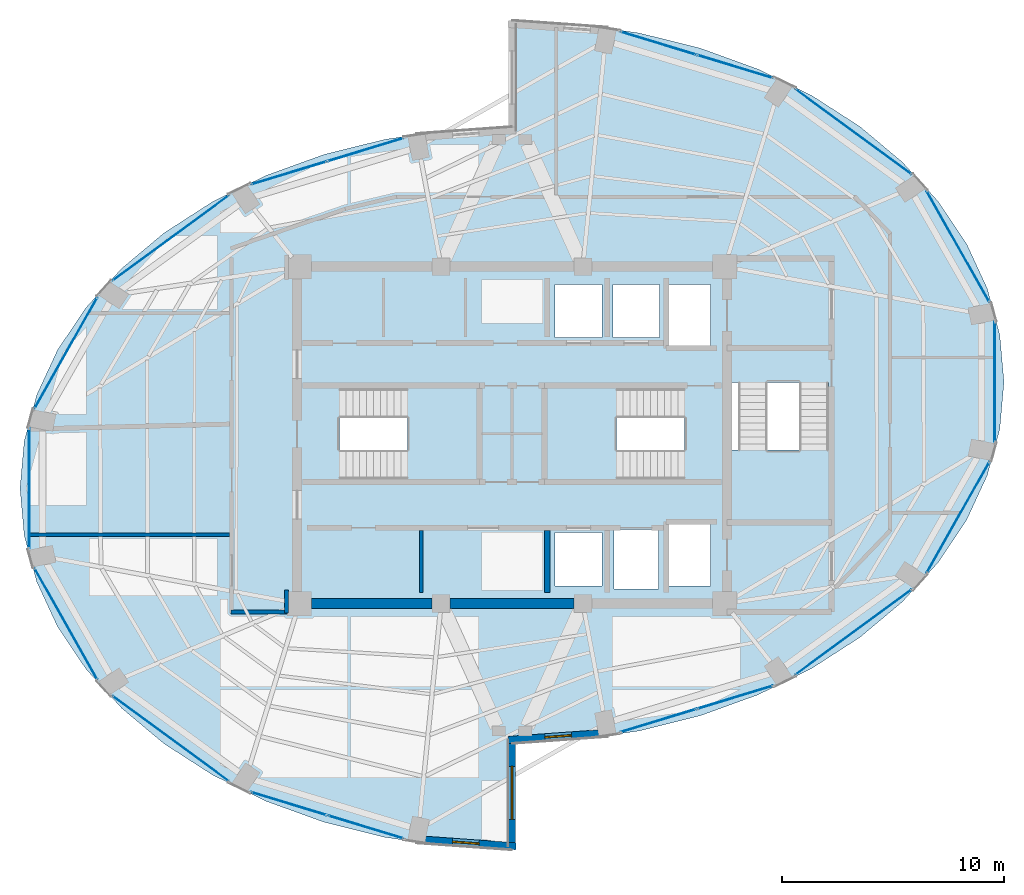
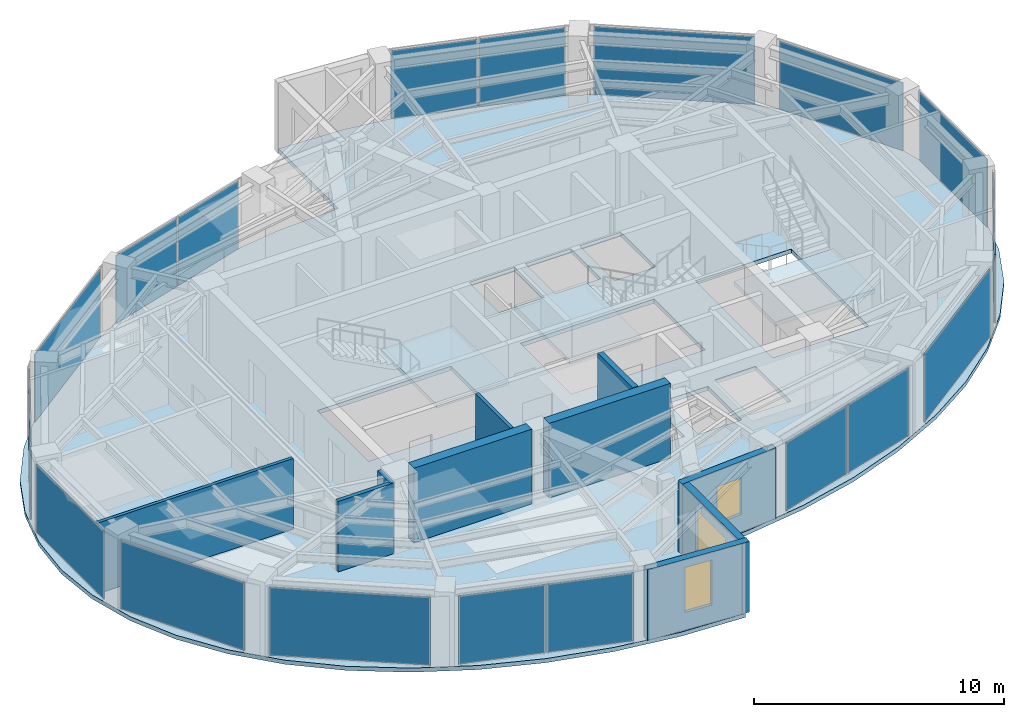
# One storey, part 18 of 23: 18 plates, 10 walls, 4 slabs, 3 windows, 3 openings, 17 elements without a shape of their own.
"""IFC4 building model written with IfcOpenShell, lengths in metres."""

from ifc_helpers import new_model, si_unit, direction, frame, frame_2d, origin, origin_2d, place, context, subcontext, project, spatial, polyline, rectangle, outline, extrude, material, layer, layer_set, type_object, element, fill, aggregate, save


model = new_model("IFC4")

# Units and contexts
model_context = context("Model", 3, precision=1e-05, world=origin(), true_north=direction((0.0, 1.0)))
body_context = subcontext(model_context, "Body", "Model", "MODEL_VIEW")
ifc_project = project(units=[si_unit("LENGTHUNIT", "METRE"), si_unit("AREAUNIT", "SQUARE_METRE"), si_unit("VOLUMEUNIT", "CUBIC_METRE"), si_unit("PLANEANGLEUNIT", "RADIAN"), si_unit("MASSUNIT", "GRAM", prefix="KILO")], contexts=[model_context])

# Site, building, storey
site_placement = place(None, origin())
site = spatial("IfcSite", under=ifc_project, at=site_placement, CompositionType="ELEMENT")
building_placement = place(site_placement, origin())
building = spatial("IfcBuilding", under=site, at=building_placement, Name="Lazwardi Medical Tower", CompositionType="ELEMENT")
storey_placement = place(building_placement, frame((0.0, 0.0, 234.9599609375)))
storey = spatial("IfcBuildingStorey", under=building, at=storey_placement, Name="L61", CompositionType="ELEMENT", Elevation=234.9599609375)

# Curtain wall, plates
ifc_material_1 = material(Name="Anodised bronze aluminium and solar control glazing", Category="aluminium")
ifc_layer_1 = layer(ifc_material_1, 0.18994140625)
ifc_layer_set_1 = layer_set([ifc_layer_1], Name="Anodised bronze aluminium and solar control glazing")
curtain_wall_type = type_object("IfcCurtainWallType", Name="CW-SYS-04", PredefinedType="NOTDEFINED", material=ifc_layer_set_1)
curtain_wall_1_placement = place(storey_placement, origin())
curtain_wall_1 = element("IfcCurtainWall", 1, at=curtain_wall_1_placement, inside=storey, type_object=curtain_wall_type, Name="L61 Unitised bronze curtain wall CW-04", PredefinedType="NOTDEFINED")
ifc_material_2 = material(Name="Low-e bronze solar control double glazing", Category="glass")
ifc_layer_2 = layer(ifc_material_2, 0.035888671875)
ifc_layer_set_2 = layer_set([ifc_layer_2], Name="Low-e bronze solar control double glazing")
plate_type = type_object("IfcPlateType", Name="PLT-GLZ-01", PredefinedType="CURTAIN_PANEL", material=ifc_layer_set_2)
plate_1_placement = place(storey_placement, frame((42.604736328125, 15.118896484375, 0.06494140625), z_axis=(0.0, 0.0, 1.0), x_axis=(0.956850126972, 0.290581889515, 0.0)))
plate_1 = element("IfcPlate", 2, at=plate_1_placement, type_object=plate_type, Name="CW-04 panel 1.1", PredefinedType="CURTAIN_PANEL", context=body_context, shape_type="SweptSolid", body=[
    extrude(rectangle(XDim=3.554443359375, YDim=0.035888671875, at=origin_2d()), origin(), (0.0, 0.0, 1.0), 3.318115234375),
])
plate_2_placement = place(storey_placement, frame((46.068115234375, 16.170654296875, 0.06494140625), z_axis=(0.0, 0.0, 1.0), x_axis=(0.956850126972, 0.290581889515, 0.0)))
plate_2 = element("IfcPlate", 3, at=plate_2_placement, type_object=plate_type, Name="CW-04 panel 2.1", PredefinedType="CURTAIN_PANEL", context=body_context, shape_type="SweptSolid", body=[
    extrude(rectangle(XDim=3.554443359375, YDim=0.035888671875, at=origin_2d()), origin(), (0.0, 0.0, 1.0), 3.318115234375),
])
aggregate(curtain_wall_1, [plate_1, plate_2])

# Curtain wall, plate
curtain_wall_2_placement = place(storey_placement, origin())
curtain_wall_2 = element("IfcCurtainWall", 4, at=curtain_wall_2_placement, inside=storey, type_object=curtain_wall_type, Name="L61 Unitised bronze curtain wall CW-04", PredefinedType="NOTDEFINED")
plate_3_placement = place(storey_placement, frame((51.403564453125, 19.106689453125, 0.06494140625), z_axis=(0.0, 0.0, 1.0), x_axis=(0.806474971121, 0.591268230971, 0.0)))
plate_3 = element("IfcPlate", 5, at=plate_3_placement, type_object=plate_type, Name="CW-04 panel 1.1", PredefinedType="CURTAIN_PANEL", context=body_context, shape_type="SweptSolid", body=[
    extrude(rectangle(XDim=6.502685546875, YDim=0.035888671875, at=origin_2d()), origin(), (0.0, 0.0, 1.0), 3.318115234375),
])
aggregate(curtain_wall_2, [plate_3])

curtain_wall_3_placement = place(storey_placement, origin())
curtain_wall_3 = element("IfcCurtainWall", 6, at=curtain_wall_3_placement, inside=storey, type_object=curtain_wall_type, Name="L61 Unitised bronze curtain wall CW-04", PredefinedType="NOTDEFINED")
plate_4_placement = place(storey_placement, frame((56.125732421875, 24.2880859375, 0.06494140625), z_axis=(0.0, 0.0, 1.0), x_axis=(0.491900474661, 0.870651436011, 0.0)))
plate_4 = element("IfcPlate", 7, at=plate_4_placement, type_object=plate_type, Name="CW-04 panel 1.1", PredefinedType="CURTAIN_PANEL", context=body_context, shape_type="SweptSolid", body=[
    extrude(rectangle(XDim=5.755126953125, YDim=0.035888671875, at=origin_2d()), origin(), (0.0, 0.0, 1.0), 3.318115234375),
])
aggregate(curtain_wall_3, [plate_4])

curtain_wall_4_placement = place(storey_placement, origin())
curtain_wall_4 = element("IfcCurtainWall", 8, at=curtain_wall_4_placement, inside=storey, type_object=curtain_wall_type, Name="L61 Unitised bronze curtain wall CW-04", PredefinedType="NOTDEFINED")
plate_5_placement = place(storey_placement, frame((57.7841796875, 30.39990234375, 0.06494140625), z_axis=(0.0, 0.0, 1.0), x_axis=(0.0, 1.0, 0.0)))
plate_5 = element("IfcPlate", 9, at=plate_5_placement, type_object=plate_type, Name="CW-04 panel 1.1", PredefinedType="CURTAIN_PANEL", context=body_context, shape_type="SweptSolid", body=[
    extrude(rectangle(XDim=5.416015625, YDim=0.035888671875, at=origin_2d()), origin(), (0.0, 0.0, 1.0), 3.318115234375),
])
aggregate(curtain_wall_4, [plate_5])

curtain_wall_5_placement = place(storey_placement, origin())
curtain_wall_5 = element("IfcCurtainWall", 10, at=curtain_wall_5_placement, inside=storey, type_object=curtain_wall_type, Name="L61 Unitised bronze curtain wall CW-04", PredefinedType="NOTDEFINED")
plate_6_placement = place(storey_placement, frame((56.125732421875, 36.511962890625, 0.06494140625), z_axis=(0.0, 0.0, 1.0), x_axis=(-0.491900474661, 0.870651436011, 0.0)))
plate_6 = element("IfcPlate", 11, at=plate_6_placement, type_object=plate_type, Name="CW-04 panel 1.1", PredefinedType="CURTAIN_PANEL", context=body_context, shape_type="SweptSolid", body=[
    extrude(rectangle(XDim=5.755126953125, YDim=0.035888671875, at=origin_2d()), origin(), (0.0, 0.0, 1.0), 3.318115234375),
])
aggregate(curtain_wall_5, [plate_6])

curtain_wall_6_placement = place(storey_placement, origin())
curtain_wall_6 = element("IfcCurtainWall", 12, at=curtain_wall_6_placement, inside=storey, type_object=curtain_wall_type, Name="L61 Unitised bronze curtain wall CW-04", PredefinedType="NOTDEFINED")
plate_7_placement = place(storey_placement, frame((51.403564453125, 41.693359375, 0.06494140625), z_axis=(0.0, 0.0, 1.0), x_axis=(-0.806474971121, 0.591268230971, 0.0)))
plate_7 = element("IfcPlate", 13, at=plate_7_placement, type_object=plate_type, Name="CW-04 panel 1.1", PredefinedType="CURTAIN_PANEL", context=body_context, shape_type="SweptSolid", body=[
    extrude(rectangle(XDim=6.502685546875, YDim=0.035888671875, at=origin_2d()), origin(), (0.0, 0.0, 1.0), 3.318115234375),
])
aggregate(curtain_wall_6, [plate_7])

# Curtain wall, plates
curtain_wall_7_placement = place(storey_placement, origin())
curtain_wall_7 = element("IfcCurtainWall", 14, at=curtain_wall_7_placement, inside=storey, type_object=curtain_wall_type, Name="L61 Unitised bronze curtain wall CW-04", PredefinedType="NOTDEFINED")
plate_8_placement = place(storey_placement, frame((46.068115234375, 44.62939453125, 0.06494140625), z_axis=(0.0, 0.0, 1.0), x_axis=(-0.956850126972, 0.290581889515, 0.0)))
plate_8 = element("IfcPlate", 15, at=plate_8_placement, type_object=plate_type, Name="CW-04 panel 1.1", PredefinedType="CURTAIN_PANEL", context=body_context, shape_type="SweptSolid", body=[
    extrude(rectangle(XDim=3.554443359375, YDim=0.035888671875, at=origin_2d()), origin(), (0.0, 0.0, 1.0), 3.318115234375),
])
plate_9_placement = place(storey_placement, frame((42.604736328125, 45.68115234375, 0.06494140625), z_axis=(0.0, 0.0, 1.0), x_axis=(-0.956850126972, 0.290581889515, 0.0)))
plate_9 = element("IfcPlate", 16, at=plate_9_placement, type_object=plate_type, Name="CW-04 panel 2.1", PredefinedType="CURTAIN_PANEL", context=body_context, shape_type="SweptSolid", body=[
    extrude(rectangle(XDim=3.554443359375, YDim=0.035888671875, at=origin_2d()), origin(), (0.0, 0.0, 1.0), 3.318115234375),
])
aggregate(curtain_wall_7, [plate_8, plate_9])

curtain_wall_8_placement = place(storey_placement, origin())
curtain_wall_8 = element("IfcCurtainWall", 17, at=curtain_wall_8_placement, inside=storey, type_object=curtain_wall_type, Name="L61 Unitised bronze curtain wall CW-04", PredefinedType="NOTDEFINED")
plate_10_placement = place(storey_placement, frame((29.395263671875, 40.881103515625, 0.06494140625), z_axis=(0.0, 0.0, 1.0), x_axis=(-0.956850126972, -0.290581889515, 0.0)))
plate_10 = element("IfcPlate", 18, at=plate_10_placement, type_object=plate_type, Name="CW-04 panel 1.1", PredefinedType="CURTAIN_PANEL", context=body_context, shape_type="SweptSolid", body=[
    extrude(rectangle(XDim=3.554443359375, YDim=0.035888671875, at=origin_2d()), origin(), (0.0, 0.0, 1.0), 3.318115234375),
])
plate_11_placement = place(storey_placement, frame((25.931884765625, 39.829345703125, 0.06494140625), z_axis=(0.0, 0.0, 1.0), x_axis=(-0.956850126972, -0.290581889515, 0.0)))
plate_11 = element("IfcPlate", 19, at=plate_11_placement, type_object=plate_type, Name="CW-04 panel 2.1", PredefinedType="CURTAIN_PANEL", context=body_context, shape_type="SweptSolid", body=[
    extrude(rectangle(XDim=3.554443359375, YDim=0.035888671875, at=origin_2d()), origin(), (0.0, 0.0, 1.0), 3.318115234375),
])
aggregate(curtain_wall_8, [plate_10, plate_11])

# Curtain wall, plate
curtain_wall_9_placement = place(storey_placement, origin())
curtain_wall_9 = element("IfcCurtainWall", 20, at=curtain_wall_9_placement, inside=storey, type_object=curtain_wall_type, Name="L61 Unitised bronze curtain wall CW-04", PredefinedType="NOTDEFINED")
plate_12_placement = place(storey_placement, frame((20.596435546875, 36.893310546875, 0.06494140625), z_axis=(0.0, 0.0, 1.0), x_axis=(-0.806474971121, -0.591268230971, 0.0)))
plate_12 = element("IfcPlate", 21, at=plate_12_placement, type_object=plate_type, Name="CW-04 panel 1.1", PredefinedType="CURTAIN_PANEL", context=body_context, shape_type="SweptSolid", body=[
    extrude(rectangle(XDim=6.502685546875, YDim=0.035888671875, at=origin_2d()), origin(), (0.0, 0.0, 1.0), 3.318115234375),
])
aggregate(curtain_wall_9, [plate_12])

curtain_wall_10_placement = place(storey_placement, origin())
curtain_wall_10 = element("IfcCurtainWall", 22, at=curtain_wall_10_placement, inside=storey, type_object=curtain_wall_type, Name="L61 Unitised bronze curtain wall CW-04", PredefinedType="NOTDEFINED")
plate_13_placement = place(storey_placement, frame((15.874267578125, 31.7119140625, 0.06494140625), z_axis=(0.0, 0.0, 1.0), x_axis=(-0.491900474661, -0.870651436011, 0.0)))
plate_13 = element("IfcPlate", 23, at=plate_13_placement, type_object=plate_type, Name="CW-04 panel 1.1", PredefinedType="CURTAIN_PANEL", context=body_context, shape_type="SweptSolid", body=[
    extrude(rectangle(XDim=5.755126953125, YDim=0.035888671875, at=origin_2d()), origin(), (0.0, 0.0, 1.0), 3.318115234375),
])
aggregate(curtain_wall_10, [plate_13])

curtain_wall_11_placement = place(storey_placement, origin())
curtain_wall_11 = element("IfcCurtainWall", 24, at=curtain_wall_11_placement, inside=storey, type_object=curtain_wall_type, Name="L61 Unitised bronze curtain wall CW-04", PredefinedType="NOTDEFINED")
plate_14_placement = place(storey_placement, frame((14.2158203125, 25.60009765625, 0.06494140625), z_axis=(0.0, 0.0, 1.0), x_axis=(0.0, -1.0, 0.0)))
plate_14 = element("IfcPlate", 25, at=plate_14_placement, type_object=plate_type, Name="CW-04 panel 1.1", PredefinedType="CURTAIN_PANEL", context=body_context, shape_type="SweptSolid", body=[
    extrude(rectangle(XDim=5.416015625, YDim=0.035888671875, at=origin_2d()), origin(), (0.0, 0.0, 1.0), 3.318115234375),
])
aggregate(curtain_wall_11, [plate_14])

curtain_wall_12_placement = place(storey_placement, origin())
curtain_wall_12 = element("IfcCurtainWall", 26, at=curtain_wall_12_placement, inside=storey, type_object=curtain_wall_type, Name="L61 Unitised bronze curtain wall CW-04", PredefinedType="NOTDEFINED")
plate_15_placement = place(storey_placement, frame((15.874267578125, 19.488037109375, 0.06494140625), z_axis=(0.0, 0.0, 1.0), x_axis=(0.491900474661, -0.870651436011, 0.0)))
plate_15 = element("IfcPlate", 27, at=plate_15_placement, type_object=plate_type, Name="CW-04 panel 1.1", PredefinedType="CURTAIN_PANEL", context=body_context, shape_type="SweptSolid", body=[
    extrude(rectangle(XDim=5.755126953125, YDim=0.035888671875, at=origin_2d()), origin(), (0.0, 0.0, 1.0), 3.318115234375),
])
aggregate(curtain_wall_12, [plate_15])

curtain_wall_13_placement = place(storey_placement, origin())
curtain_wall_13 = element("IfcCurtainWall", 28, at=curtain_wall_13_placement, inside=storey, type_object=curtain_wall_type, Name="L61 Unitised bronze curtain wall CW-04", PredefinedType="NOTDEFINED")
plate_16_placement = place(storey_placement, frame((20.596435546875, 14.306640625, 0.06494140625), z_axis=(0.0, 0.0, 1.0), x_axis=(0.806474971121, -0.591268230971, 0.0)))
plate_16 = element("IfcPlate", 29, at=plate_16_placement, type_object=plate_type, Name="CW-04 panel 1.1", PredefinedType="CURTAIN_PANEL", context=body_context, shape_type="SweptSolid", body=[
    extrude(rectangle(XDim=6.502685546875, YDim=0.035888671875, at=origin_2d()), origin(), (0.0, 0.0, 1.0), 3.318115234375),
])
aggregate(curtain_wall_13, [plate_16])

# Curtain wall, plates
curtain_wall_14_placement = place(storey_placement, origin())
curtain_wall_14 = element("IfcCurtainWall", 30, at=curtain_wall_14_placement, inside=storey, type_object=curtain_wall_type, Name="L61 Unitised bronze curtain wall CW-04", PredefinedType="NOTDEFINED")
plate_17_placement = place(storey_placement, frame((25.931884765625, 11.37060546875, 0.06494140625), z_axis=(0.0, 0.0, 1.0), x_axis=(0.956850126972, -0.290581889515, 0.0)))
plate_17 = element("IfcPlate", 31, at=plate_17_placement, type_object=plate_type, Name="CW-04 panel 1.1", PredefinedType="CURTAIN_PANEL", context=body_context, shape_type="SweptSolid", body=[
    extrude(rectangle(XDim=3.554443359375, YDim=0.035888671875, at=origin_2d()), origin(), (0.0, 0.0, 1.0), 3.318115234375),
])
plate_18_placement = place(storey_placement, frame((29.395263671875, 10.31884765625, 0.06494140625), z_axis=(0.0, 0.0, 1.0), x_axis=(0.956850126972, -0.290581889515, 0.0)))
plate_18 = element("IfcPlate", 32, at=plate_18_placement, type_object=plate_type, Name="CW-04 panel 2.1", PredefinedType="CURTAIN_PANEL", context=body_context, shape_type="SweptSolid", body=[
    extrude(rectangle(XDim=3.554443359375, YDim=0.035888671875, at=origin_2d()), origin(), (0.0, 0.0, 1.0), 3.318115234375),
])
aggregate(curtain_wall_14, [plate_17, plate_18])

# Stair, slab
ifc_material_3 = material(Name="Concrete C45/55", Category="concrete")
stair_type = type_object("IfcStairType", Name="STR-WRD", PredefinedType="HALF_TURN_STAIR", material=ifc_material_3)
stair_1_placement = place(storey_placement, origin())
stair_1 = element("IfcStair", 33, at=stair_1_placement, inside=storey, type_object=stair_type, Name="L61 Protected Exit Stair ST1", PredefinedType="HALF_TURN_STAIR")
ifc_layer_3 = layer(ifc_material_3, 0.199951171875)
ifc_layer_set_3 = layer_set([ifc_layer_3], Name="Concrete C45/55")
slab_type_1 = type_object("IfcSlabType", Name="SLB-LND-190", PredefinedType="LANDING", material=ifc_layer_set_3)
slab_1_placement = place(storey_placement, frame((0.0, 0.0, 1.6240234375)))
slab_1 = element("IfcSlab", 34, at=slab_1_placement, type_object=slab_type_1, Name="ST1 landing 1", PredefinedType="LANDING", context=body_context, shape_type="SweptSolid", body=[
    extrude(outline(polyline([(31.27490234375, 25.840087890625), (34.580078125, 25.840087890625), (34.580078125, 30.280029296875), (31.27490234375, 30.280029296875), (31.27490234375, 25.840087890625)])), origin(), (0.0, 0.0, 1.0), 0.199951171875),
])
aggregate(stair_1, [slab_1])

stair_2_placement = place(storey_placement, origin())
stair_2 = element("IfcStair", 35, at=stair_2_placement, inside=storey, type_object=stair_type, Name="L61 Protected Exit Stair ST2", PredefinedType="HALF_TURN_STAIR")
slab_2_placement = place(storey_placement, frame((0.0, 0.0, 1.6240234375)))
slab_2 = element("IfcSlab", 36, at=slab_2_placement, type_object=slab_type_1, Name="ST2 landing 1", PredefinedType="LANDING", context=body_context, shape_type="SweptSolid", body=[
    extrude(outline(polyline([(40.72509765625, 30.280029296875), (37.419921875, 30.280029296875), (37.419921875, 25.840087890625), (40.72509765625, 25.840087890625), (40.72509765625, 30.280029296875)])), origin(), (0.0, 0.0, 1.0), 0.199951171875),
])
aggregate(stair_2, [slab_2])

stair_3_placement = place(storey_placement, origin())
stair_3 = element("IfcStair", 37, at=stair_3_placement, inside=storey, type_object=stair_type, Name="L61 Protected Exit Stair ST3", PredefinedType="HALF_TURN_STAIR")
slab_3_placement = place(storey_placement, frame((0.0, 0.0, 1.6240234375)))
slab_3 = element("IfcSlab", 38, at=slab_3_placement, type_object=slab_type_1, Name="ST3 landing 1", PredefinedType="LANDING", context=body_context, shape_type="SweptSolid", body=[
    extrude(outline(polyline([(45.860107421875, 27.324951171875), (45.860107421875, 24.02001953125), (50.4599609375, 24.02001953125), (50.4599609375, 27.324951171875), (45.860107421875, 27.324951171875)])), origin(), (0.0, 0.0, 1.0), 0.199951171875),
])
aggregate(stair_3, [slab_3])

# Slab
ifc_material_4 = material(Name="Concrete C50/60", Category="concrete")
ifc_layer_4 = layer(ifc_material_4, 0.199951171875)
ifc_layer_set_4 = layer_set([ifc_layer_4], Name="Concrete C50/60")
slab_type_2 = type_object("IfcSlabType", Name="SLB-UPP-200", PredefinedType="FLOOR", material=ifc_layer_set_4)
slab_4_placement = place(storey_placement, frame((0.0, 0.0, -0.199951171875)))
element("IfcSlab", 39, at=slab_4_placement, inside=storey, type_object=slab_type_2, Name="Structural floor slab SF-04 L61", PredefinedType="FLOOR", context=body_context, shape_type="SweptSolid", body=[
    extrude(outline(polyline([(18.3876953125, 15.67724609375), (20.30224609375, 14.07421875), (22.485595703125, 12.668212890625), (24.89990234375, 11.48388671875), (27.50439453125, 10.540771484375), (30.254150390625, 9.85546875), (33.102294921875, 9.439453125), (36.0, 9.300048828125), (36.0, 14.10009765625), (38.897705078125, 14.239501953125), (41.745849609375, 14.655517578125), (44.49560546875, 15.3408203125), (47.10009765625, 16.28369140625), (49.514404296875, 17.46826171875), (51.69775390625, 18.874267578125), (53.6123046875, 20.477294921875), (55.225830078125, 22.25), (56.510009765625, 24.162353515625), (57.443603515625, 26.18115234375), (58.010009765625, 28.2724609375), (58.199951171875, 30.39990234375), (58.010009765625, 32.527587890625), (57.443603515625, 34.618896484375), (56.510009765625, 36.6376953125), (55.225830078125, 38.550048828125), (53.6123046875, 40.32275390625), (51.69775390625, 41.92578125), (49.514404296875, 43.331787109375), (47.10009765625, 44.51611328125), (44.49560546875, 45.459228515625), (41.745849609375, 46.14453125), (38.897705078125, 46.560546875), (36.0, 46.699951171875), (36.0, 41.89990234375), (33.102294921875, 41.760498046875), (30.254150390625, 41.344482421875), (27.50439453125, 40.6591796875), (24.89990234375, 39.71630859375), (22.485595703125, 38.53173828125), (20.30224609375, 37.125732421875), (18.3876953125, 35.522705078125), (16.774169921875, 33.75), (15.489990234375, 31.837646484375), (14.556396484375, 29.81884765625), (13.989990234375, 27.7275390625), (13.800048828125, 25.60009765625), (13.989990234375, 23.472412109375), (14.556396484375, 21.381103515625), (15.489990234375, 19.3623046875), (16.774169921875, 17.449951171875), (18.3876953125, 15.67724609375)]), holes=[polyline([(28.22509765625, 26.02001953125), (28.22509765625, 30.10009765625), (34.39990234375, 30.10009765625), (34.39990234375, 26.02001953125), (28.22509765625, 26.02001953125)]), polyline([(37.60009765625, 30.10009765625), (43.77490234375, 30.10009765625), (43.77490234375, 26.02001953125), (37.60009765625, 26.02001953125), (37.60009765625, 30.10009765625)]), polyline([(50.280029296875, 30.375), (50.280029296875, 24.179931640625), (45.840087890625, 24.179931640625), (45.840087890625, 30.375), (50.280029296875, 30.375)]), polyline([(40.050048828125, 32.39990234375), (37.949951171875, 32.39990234375), (37.949951171875, 34.800048828125), (40.050048828125, 34.800048828125), (40.050048828125, 32.39990234375)]), polyline([(40.550048828125, 32.39990234375), (40.550048828125, 34.800048828125), (42.64990234375, 34.800048828125), (42.64990234375, 32.39990234375), (40.550048828125, 32.39990234375)]), polyline([(37.949951171875, 23.60009765625), (40.050048828125, 23.60009765625), (40.050048828125, 21.199951171875), (37.949951171875, 21.199951171875), (37.949951171875, 23.60009765625)]), polyline([(44.949951171875, 34.800048828125), (44.949951171875, 32.0), (43.050048828125, 32.0), (43.050048828125, 34.800048828125), (44.949951171875, 34.800048828125)]), polyline([(44.949951171875, 21.199951171875), (43.050048828125, 21.199951171875), (43.050048828125, 24.0), (44.949951171875, 24.0), (44.949951171875, 21.199951171875)]), polyline([(40.60009765625, 21.050048828125), (40.60009765625, 23.75), (42.60009765625, 23.75), (42.60009765625, 21.050048828125), (40.60009765625, 21.050048828125)])]), origin(), (0.0, 0.0, 1.0), 0.199951171875),
])

# Walls
ifc_material_5 = material(Name="Fire-rated gypsum board on steel stud", Category="steel")
ifc_layer_5 = layer(ifc_material_5, 0.179931640625)
ifc_layer_set_5 = layer_set([ifc_layer_5], Name="Fire-rated gypsum board on steel stud")
wall_type_1 = type_object("IfcWallType", Name="WL-COR-180", PredefinedType="PARTITIONING", material=ifc_layer_set_5)
wall_1_placement = place(storey_placement, frame((25.830078125, 21.010009765625, 0.0), z_axis=(0.0, 0.0, 1.0), x_axis=(0.0, -1.0, 0.0)))
element("IfcWall", 40, at=wall_1_placement, inside=storey, type_object=wall_type_1, Name="L61 Corridor partition 8", PredefinedType="PARTITIONING", context=body_context, shape_type="SweptSolid", body=[
    extrude(rectangle(XDim=1.030029296875, YDim=0.179931640625, at=frame_2d((0.51513671875, 0.0))), origin(), (0.0, 0.0, 1.0), 3.447998046875),
])
wall_2_placement = place(storey_placement, frame((25.8701171875, 20.02001953125, 0.0), z_axis=(0.0, 0.0, 1.0), x_axis=(-1.0, 0.0, 0.0)))
element("IfcWall", 41, at=wall_2_placement, inside=storey, type_object=wall_type_1, Name="L61 Corridor partition 9", PredefinedType="PARTITIONING", context=body_context, shape_type="SweptSolid", body=[
    extrude(rectangle(XDim=2.56005859375, YDim=0.179931640625, at=frame_2d((1.280029296875, 0.0))), origin(), (0.0, 0.0, 1.0), 3.447998046875),
])
ifc_material_6 = material(Name="Concrete C60/75", Category="concrete")
ifc_layer_6 = layer(ifc_material_6, 0.449951171875)
ifc_layer_set_6 = layer_set([ifc_layer_6], Name="Concrete C60/75")
wall_type_2 = type_object("IfcWallType", Name="WL-CORE-450", PredefinedType="SHEAR", material=ifc_layer_set_6)
wall_3_placement = place(storey_placement, frame((26.949951171875, 20.39990234375, 0.0), z_axis=(0.0, 0.0, 1.0), x_axis=(1.0, 0.0, 0.0)))
element("IfcWall", 42, at=wall_3_placement, inside=storey, type_object=wall_type_2, Name="Core wall CW-S4 S1 L61", PredefinedType="SHEAR", context=body_context, shape_type="SweptSolid", body=[
    extrude(rectangle(XDim=5.449951171875, YDim=0.449951171875, at=frame_2d((2.72509765625, 0.0))), origin(), (0.0, 0.0, 1.0), 3.64794921875),
])
wall_4_placement = place(storey_placement, frame((33.199951171875, 20.39990234375, 0.0), z_axis=(0.0, 0.0, 1.0), x_axis=(1.0, 0.0, 0.0)))
element("IfcWall", 43, at=wall_4_placement, inside=storey, type_object=wall_type_2, Name="Core wall CW-S4 S2 L61", PredefinedType="SHEAR", context=body_context, shape_type="SweptSolid", body=[
    extrude(rectangle(XDim=5.60009765625, YDim=0.449951171875, at=frame_2d((2.800048828125, 0.0))), origin(), (0.0, 0.0, 1.0), 3.64794921875),
])

# Wall, opening, window
ifc_material_7 = material(Name="Precast concrete C45/55", Category="concrete")
ifc_layer_7 = layer(ifc_material_7, 0.320068359375)
ifc_layer_set_7 = layer_set([ifc_layer_7], Name="Precast concrete C45/55")
wall_type_3 = type_object("IfcWallType", Name="WL-IWAN-320", PredefinedType="SOLIDWALL", material=ifc_layer_set_7)
wall_5_placement = place(storey_placement, frame((35.820556640625, 14.2470703125, 0.0), z_axis=(0.0, 0.0, 1.0), x_axis=(0.997409061056, 0.071938619141, 0.0)))
wall_5 = element("IfcWall", 44, at=wall_5_placement, inside=storey, type_object=wall_type_3, Name="L61 Iwan Portal Return Wall SE_ret", PredefinedType="SOLIDWALL", context=body_context, shape_type="SweptSolid", body=[
    extrude(rectangle(XDim=4.540771484375, YDim=0.320068359375, at=frame_2d((2.2705078125, 0.0))), origin(), (0.0, 0.0, 1.0), 3.447998046875),
])
opening_1_placement = place(wall_5_placement, frame((1.67041015625, 0.0, 0.85009765625)))
opening_1 = element("IfcOpeningElement", 45, at=opening_1_placement, cuts=wall_5, Name="Opening WN-04", PredefinedType="OPENING", context=body_context, shape_type="SweptSolid", body=[
    extrude(rectangle(XDim=1.199951171875, YDim=1.800048828125, at=frame_2d((0.60009765625, 0.89990234375))), frame((0.0, 0.169921875, 0.0), z_axis=(0.0, -1.0, 0.0), x_axis=(1.0, 0.0, 0.0)), (0.0, 0.0, 1.0), 0.340087890625),
])
window_type_1 = type_object("IfcWindowType", Name="WIN-DRUM-1200", PartitioningType="SINGLE_PANEL", PredefinedType="WINDOW", material=ifc_material_2)
window_1_placement = place(opening_1_placement, origin())
window_1 = element("IfcWindow", 46, at=window_1_placement, inside=storey, type_object=window_type_1, Name="L61 Iwan Slot Window SE_ret", OverallHeight=1.800048828125, OverallWidth=1.199951171875, PartitioningType="SINGLE_PANEL", PredefinedType="WINDOW", context=body_context, shape_type="SweptSolid", body=[
    extrude(rectangle(XDim=1.199951171875, YDim=1.800048828125, at=frame_2d((0.60009765625, 0.89990234375))), frame((0.0, 0.030029296875, 0.0), z_axis=(0.0, -1.0, 0.0), x_axis=(1.0, 0.0, 0.0)), (0.0, 0.0, 1.0), 0.06005859375),
])
fill(opening_1, window_1)

wall_6_placement = place(storey_placement, frame((31.650390625, 9.773681640625, 0.0), z_axis=(0.0, 0.0, 1.0), x_axis=(0.997408782787, -0.071942477163, 0.0)))
wall_6 = element("IfcWall", 47, at=wall_6_placement, inside=storey, type_object=wall_type_3, Name="L61 Iwan Portal Return Wall SW_ret", PredefinedType="SOLIDWALL", context=body_context, shape_type="SweptSolid", body=[
    extrude(rectangle(XDim=4.54052734375, YDim=0.320068359375, at=frame_2d((2.270263671875, 0.0))), origin(), (0.0, 0.0, 1.0), 3.447998046875),
])
opening_2_placement = place(wall_6_placement, frame((1.67041015625, 0.0, 0.85009765625)))
opening_2 = element("IfcOpeningElement", 48, at=opening_2_placement, cuts=wall_6, Name="Opening WN-01", PredefinedType="OPENING", context=body_context, shape_type="SweptSolid", body=[
    extrude(rectangle(XDim=1.199951171875, YDim=2.199951171875, at=frame_2d((0.60009765625, 1.10009765625))), frame((0.0, 0.169921875, 0.0), z_axis=(0.0, -1.0, 0.0), x_axis=(1.0, 0.0, 0.0)), (0.0, 0.0, 1.0), 0.340087890625),
])
window_type_2 = type_object("IfcWindowType", Name="WIN-IW-1200", PartitioningType="SINGLE_PANEL", PredefinedType="WINDOW", material=ifc_material_2)
window_2_placement = place(opening_2_placement, origin())
window_2 = element("IfcWindow", 49, at=window_2_placement, inside=storey, type_object=window_type_2, Name="L61 Iwan Slot Window SW_ret", OverallHeight=2.199951171875, OverallWidth=1.199951171875, PartitioningType="SINGLE_PANEL", PredefinedType="WINDOW", context=body_context, shape_type="SweptSolid", body=[
    extrude(rectangle(XDim=1.199951171875, YDim=2.199951171875, at=frame_2d((0.60009765625, 1.10009765625))), frame((0.0, 0.030029296875, 0.0), z_axis=(0.0, -1.0, 0.0), x_axis=(1.0, 0.0, 0.0)), (0.0, 0.0, 1.0), 0.06005859375),
])
fill(opening_2, window_2)

wall_7_placement = place(storey_placement, frame((36.0, 9.300048828125, 0.0), z_axis=(0.0, 0.0, 1.0), x_axis=(0.0, 1.0, 0.0)))
wall_7 = element("IfcWall", 50, at=wall_7_placement, inside=storey, type_object=wall_type_3, Name="L61 Turquoise Tilework Iwan Seam Wall S_seam", PredefinedType="SOLIDWALL", context=body_context, shape_type="SweptSolid", body=[
    extrude(rectangle(XDim=5.119873046875, YDim=0.320068359375, at=frame_2d((2.56005859375, 0.0))), origin(), (0.0, 0.0, 1.0), 3.447998046875),
])
opening_3_placement = place(wall_7_placement, frame((1.360107421875, 0.0, 0.840087890625)))
opening_3 = element("IfcOpeningElement", 51, at=opening_3_placement, cuts=wall_7, Name="Opening WN-02", PredefinedType="OPENING", context=body_context, shape_type="SweptSolid", body=[
    extrude(rectangle(XDim=2.39990234375, YDim=2.0400390625, at=frame_2d((1.199951171875, 1.02001953125))), frame((0.0, 0.169921875, 0.0), z_axis=(0.0, -1.0, 0.0), x_axis=(1.0, 0.0, 0.0)), (0.0, 0.0, 1.0), 0.340087890625),
])
window_type_3 = type_object("IfcWindowType", Name="WIN-IW-2400", PartitioningType="SINGLE_PANEL", PredefinedType="WINDOW", material=ifc_material_2)
window_3_placement = place(opening_3_placement, origin())
window_3 = element("IfcWindow", 52, at=window_3_placement, inside=storey, type_object=window_type_3, Name="L61 Iwan Seam Window S_seam", OverallHeight=2.0400390625, OverallWidth=2.39990234375, PartitioningType="SINGLE_PANEL", PredefinedType="WINDOW", context=body_context, shape_type="SweptSolid", body=[
    extrude(rectangle(XDim=2.39990234375, YDim=2.0400390625, at=frame_2d((1.199951171875, 1.02001953125))), frame((0.0, 0.030029296875, 0.0), z_axis=(0.0, -1.0, 0.0), x_axis=(1.0, 0.0, 0.0)), (0.0, 0.0, 1.0), 0.06005859375),
])
fill(opening_3, window_3)

# Walls
ifc_material_8 = material(Name="Autoclaved aerated concrete blockwork", Category="masonry")
ifc_layer_8 = layer(ifc_material_8, 0.25)
ifc_layer_set_8 = layer_set([ifc_layer_8], Name="Autoclaved aerated concrete blockwork")
wall_type_4 = type_object("IfcWallType", Name="WL-SHAFT-250", PredefinedType="SOLIDWALL", material=ifc_layer_set_8)
wall_8_placement = place(storey_placement, frame((37.60009765625, 20.89990234375, 0.0), z_axis=(0.0, 0.0, 1.0), x_axis=(0.0, 1.0, 0.0)))
element("IfcWall", 53, at=wall_8_placement, inside=storey, type_object=wall_type_4, Name="L61 South hoistway divider", PredefinedType="SOLIDWALL", context=body_context, shape_type="SweptSolid", body=[
    extrude(rectangle(XDim=2.800048828125, YDim=0.25, at=frame_2d((1.39990234375, 0.0))), origin(), (0.0, 0.0, 1.0), 3.447998046875),
])
ifc_material_9 = material(Name="Acoustic gypsum board partition")
ifc_layer_9 = layer(ifc_material_9, 0.14990234375)
ifc_layer_set_9 = layer_set([ifc_layer_9], Name="Acoustic gypsum board partition")
wall_type_5 = type_object("IfcWallType", Name="WL-WRD-150", PredefinedType="PARTITIONING", material=ifc_layer_set_9)
wall_9_placement = place(storey_placement, frame((31.89990234375, 20.89990234375, 0.0), z_axis=(0.0, 0.0, 1.0), x_axis=(0.0, 1.0, 0.0)))
element("IfcWall", 54, at=wall_9_placement, inside=storey, type_object=wall_type_5, Name="L61 Freed bay2 S split", PredefinedType="PARTITIONING", context=body_context, shape_type="SweptSolid", body=[
    extrude(rectangle(XDim=2.800048828125, YDim=0.14990234375, at=frame_2d((1.39990234375, 0.0))), origin(), (0.0, 0.0, 1.0), 3.447998046875),
])
wall_10_placement = place(storey_placement, frame((14.228271484375, 23.5, 0.0), z_axis=(0.0, 0.0, 1.0), x_axis=(1.0, 0.0, 0.0)))
element("IfcWall", 55, at=wall_10_placement, inside=storey, type_object=wall_type_5, Name="L61 Room partition 1", PredefinedType="PARTITIONING", context=body_context, shape_type="SweptSolid", body=[
    extrude(rectangle(XDim=9.03173828125, YDim=0.14990234375, at=frame_2d((4.515869140625, 0.0))), origin(), (0.0, 0.0, 1.0), 3.447998046875),
])

save(model, "model.ifc")
